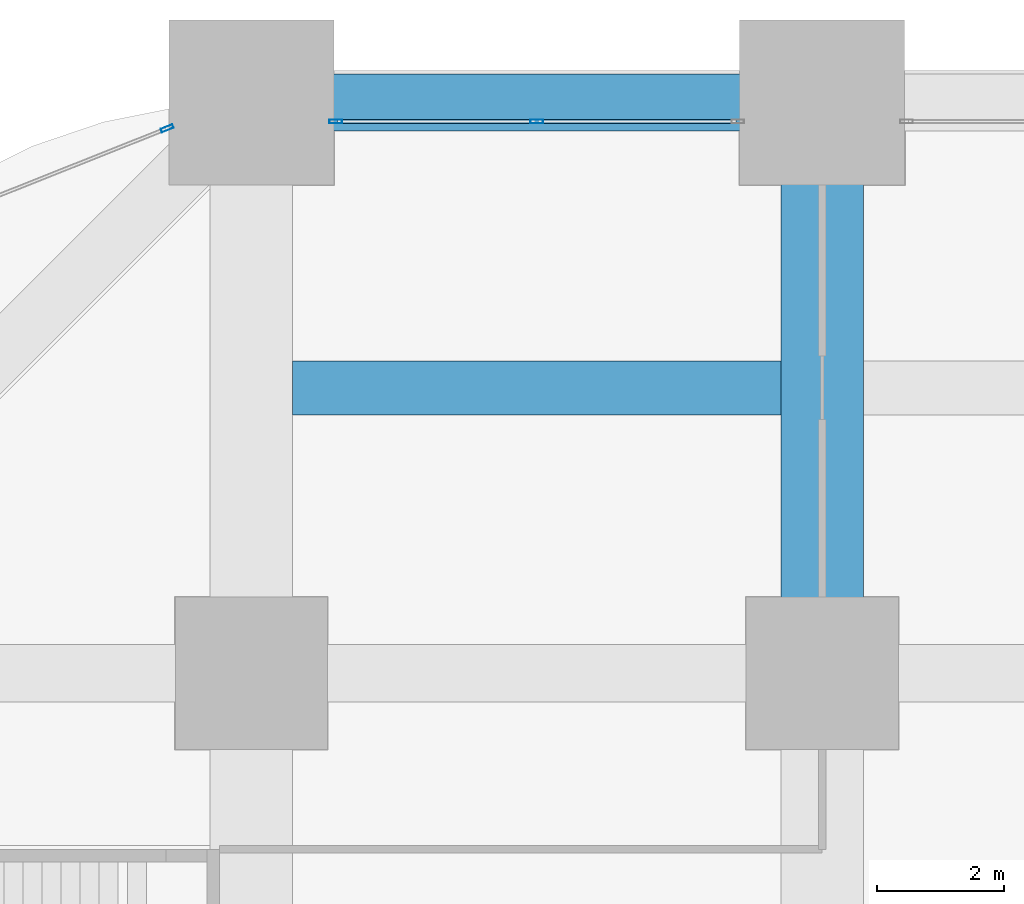
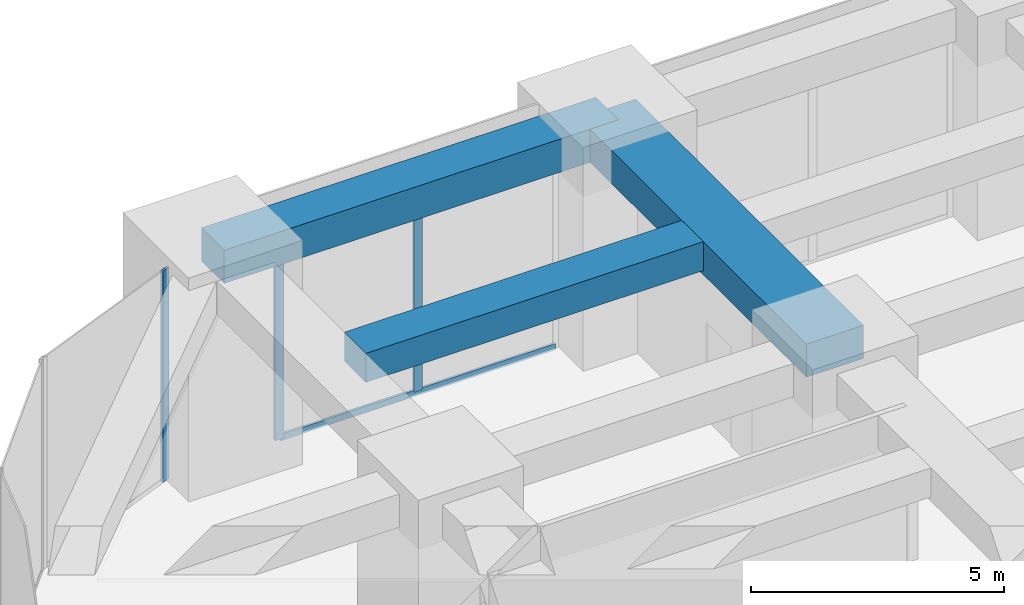
# One storey, part 23 of 45: 4 members, 3 beams, 2 elements without a shape of their own.
"""IFC4 building model written with IfcOpenShell, lengths in metres."""

import ifcopenshell
import ifcopenshell.guid

model = None  # the IFC model being written
_history = None  # IfcOwnerHistory: only IFC2X3 demands one
_inside = {}  # id of a spatial element -> (the spatial element, [elements in it])
_under = {}  # id of a project, library or spatial element -> (it, [spatial elements below it])
_declared = {}  # id of a project -> (the project, [libraries it declares])
_typed = {}  # id of a type object -> (the type object, [elements of that type])
_made_of = {}  # id of a material, layer set ... -> (it, [elements and type objects made of it])


def new_model(schema):
    """Start an empty IFC model of exactly this schema.

    Asked for "IFC4X3", IfcOpenShell would pick the latest addendum, in which some entities
    have other attributes; the version numbers below select the first issue.
    IFC2X3 requires an IfcOwnerHistory on every rooted entity: one is made here for all.
    """
    global model, _history
    if schema == "IFC4X3":
        model = ifcopenshell.file(schema_version=(4, 3, 0, 0))
    else:
        model = ifcopenshell.file(schema=schema)
    _inside.clear()
    _under.clear()
    _declared.clear()
    _typed.clear()
    _made_of.clear()
    _history = None
    if model.schema == "IFC2X3":
        org = make("IfcOrganization", Name="unknown")
        user = make(
            "IfcPersonAndOrganization",
            ThePerson=make("IfcPerson", FamilyName="unknown"),
            TheOrganization=org,
        )
        app = make(
            "IfcApplication",
            ApplicationDeveloper=org,
            Version="unknown",
            ApplicationFullName="unknown",
            ApplicationIdentifier="unknown",
        )
        _history = make(
            "IfcOwnerHistory",
            OwningUser=user,
            OwningApplication=app,
            ChangeAction="ADDED",
            CreationDate=0,
        )
    return model


def make(cls, **values):
    """One entity of the class cls with the attributes given. An attribute that is None is left unset."""
    return model.create_entity(
        cls, **{name: value for name, value in values.items() if value is not None}
    )


def rooted(cls, **values):
    """An entity with a GlobalId (a new one), such as an element, a storey or a relation."""
    return make(cls, GlobalId=ifcopenshell.guid.new(), OwnerHistory=_history, **values)


def si_unit(unit_type, name, prefix=None):
    """IfcSIUnit, for example si_unit("LENGTHUNIT", "METRE", prefix="MILLI")."""
    return make("IfcSIUnit", UnitType=unit_type, Prefix=prefix, Name=name)


def assignment(units):
    """IfcUnitAssignment: the units of a project."""
    return None if units is None else make("IfcUnitAssignment", Units=units)


def point(xyz):
    """IfcCartesianPoint."""
    return None if xyz is None else make("IfcCartesianPoint", Coordinates=xyz)


def direction(xyz):
    """IfcDirection."""
    return None if xyz is None else make("IfcDirection", DirectionRatios=xyz)


def frame(location, z_axis=None, x_axis=None):
    """IfcAxis2Placement3D, a coordinate frame: its origin and axes. An axis left out is left unset."""
    return make(
        "IfcAxis2Placement3D",
        Location=point(location),
        Axis=direction(z_axis),
        RefDirection=direction(x_axis),
    )


def frame_2d(location, x_axis=None):
    """IfcAxis2Placement2D, a coordinate frame in the plane: its origin and x axis."""
    return make(
        "IfcAxis2Placement2D", Location=point(location), RefDirection=direction(x_axis)
    )


def origin():
    """The frame at (0, 0, 0) with its axes left unset."""
    return frame((0.0, 0.0, 0.0))


def origin_2d():
    """The frame at (0, 0) in the plane with its x axis left unset."""
    return frame_2d((0.0, 0.0))


def place(relative_to, where):
    """IfcLocalPlacement: puts the frame where relative to a parent placement (None: the world)."""
    return make(
        "IfcLocalPlacement", PlacementRelTo=relative_to, RelativePlacement=where
    )


def context(
    kind, dimensions, precision=None, world=None, true_north=None, identifier=None
):
    """IfcGeometricRepresentationContext, for example the 3D "Model" context."""
    return make(
        "IfcGeometricRepresentationContext",
        ContextIdentifier=identifier,
        ContextType=kind,
        CoordinateSpaceDimension=dimensions,
        Precision=precision,
        WorldCoordinateSystem=world,
        TrueNorth=true_north,
    )


def subcontext(parent, identifier, kind, view, scale=None):
    """IfcGeometricRepresentationSubContext, for example "Body" below "Model"."""
    return make(
        "IfcGeometricRepresentationSubContext",
        ContextIdentifier=identifier,
        ContextType=kind,
        ParentContext=parent,
        TargetScale=scale,
        TargetView=view,
    )


def project(units=None, contexts=None):
    """IfcProject with its units and contexts."""
    return rooted(
        "IfcProject",
        Name="project",
        RepresentationContexts=contexts,
        UnitsInContext=assignment(units),
    )


def spatial(cls, under=None, at=None, **own):
    """A site, building, storey or space (cls), placed at a placement, below another one or the project."""
    s = rooted(cls, ObjectPlacement=at, **own)
    if under is not None:
        _under.setdefault(under.id(), (under, []))[1].append(s)
    return s


def profile(cls, at=None, kind="AREA", **sizes):
    """A parametric profile (cls). Its sizes go by their IFC names, for example OverallWidth=200.0."""
    return make(cls, ProfileType=kind, Position=at, **sizes)


def rectangle(**sizes):
    """IfcRectangleProfileDef."""
    return profile("IfcRectangleProfileDef", **sizes)


def hollow_rectangle(**sizes):
    """IfcRectangleHollowProfileDef."""
    return profile("IfcRectangleHollowProfileDef", **sizes)


def extrude(swept, where, along, depth):
    """IfcExtrudedAreaSolid: the profile swept, set in the frame where, extruded along a direction by depth."""
    return make(
        "IfcExtrudedAreaSolid",
        SweptArea=swept,
        Position=where,
        ExtrudedDirection=direction(along),
        Depth=depth,
    )


def shape(context_of_items, identifier, shape_type, items):
    """IfcShapeRepresentation: the items that make up one representation, for example the "Body"."""
    return make(
        "IfcShapeRepresentation",
        ContextOfItems=context_of_items,
        RepresentationIdentifier=identifier,
        RepresentationType=shape_type,
        Items=items,
    )


def material(Name=None, Category=None):
    """IfcMaterial."""
    return make("IfcMaterial", Name=Name, Category=Category)


def material_profile(
    of_material, cross_section, Name=None, Category=None, Priority=None
):
    """IfcMaterialProfile: a cross section and its material."""
    return make(
        "IfcMaterialProfile",
        Name=Name,
        Material=of_material,
        Profile=cross_section,
        Priority=Priority,
        Category=Category,
    )


def profile_set(profiles, Name=None, composite=None):
    """IfcMaterialProfileSet."""
    return make(
        "IfcMaterialProfileSet",
        Name=Name,
        MaterialProfiles=profiles,
        CompositeProfile=composite,
    )


def made_of(thing, what):
    """Note that an element or type object is made of a material, layer set ...; save() writes the relation."""
    if what is not None:
        _made_of.setdefault(what.id(), (what, []))[1].append(thing)
    return thing


def type_object(cls, material=None, **own):
    """A type object (cls), such as IfcWallType, which elements share."""
    return made_of(rooted(cls, **own), material)


def element(
    cls,
    number,
    at=None,
    inside=None,
    cuts=None,
    type_object=None,
    material=None,
    context=None,
    identifier="Body",
    shape_type=None,
    held_by="IfcProductDefinitionShape",
    body=None,
    shapes=None,
    **own,
):
    """One element of the class cls, such as IfcWall. Its Tag is "e" and its number.

    at: its placement. inside: the storey or other place that contains it. cuts: it is an
    opening in that element (IfcRelVoidsElement). A single representation is given by context,
    identifier, shape_type and body (its items); several are given by shapes. held_by: the class
    of the entity that holds the representations. save() writes the other relations.
    """
    e = rooted(cls, Tag="e%d" % number, ObjectPlacement=at, **own)
    if body is not None:
        shapes = [shape(context, identifier, shape_type, body)]
    if shapes is not None:
        e.Representation = make(held_by, Representations=shapes)
    if inside is not None:
        _inside.setdefault(inside.id(), (inside, []))[1].append(e)
    if cuts is not None:
        rooted(
            "IfcRelVoidsElement", RelatingBuildingElement=cuts, RelatedOpeningElement=e
        )
    if type_object is not None:
        _typed.setdefault(type_object.id(), (type_object, []))[1].append(e)
    return made_of(e, material)


def aggregate(whole, parts):
    """IfcRelAggregates: a whole, such as a stair, and the parts it consists of."""
    return rooted("IfcRelAggregates", RelatingObject=whole, RelatedObjects=parts)


def save(model, path):
    """Write the relations noted so far, then the file.

    IfcRelAggregates (storeys below a building ...), IfcRelContainedInSpatialStructure (elements
    in a storey), IfcRelDefinesByType, IfcRelAssociatesMaterial and IfcRelDeclares: one each for
    every whole, place, type object, material and project.
    """
    for whole, parts in _under.values():
        aggregate(whole, parts)
    for where, things in _inside.values():
        rooted(
            "IfcRelContainedInSpatialStructure",
            RelatedElements=things,
            RelatingStructure=where,
        )
    for kind, things in _typed.values():
        rooted("IfcRelDefinesByType", RelatedObjects=things, RelatingType=kind)
    for what, things in _made_of.values():
        rooted("IfcRelAssociatesMaterial", RelatedObjects=things, RelatingMaterial=what)
    for by, libraries in _declared.values():
        rooted("IfcRelDeclares", RelatingContext=by, RelatedDefinitions=libraries)
    model.write(path)


model = new_model("IFC4")

# Units and contexts
model_context = context("Model", 3, precision=1e-05, world=origin(), true_north=direction((0.0, 1.0)))
body_context = subcontext(model_context, "Body", "Model", "MODEL_VIEW")
ifc_project = project(units=[si_unit("LENGTHUNIT", "METRE"), si_unit("AREAUNIT", "SQUARE_METRE"), si_unit("VOLUMEUNIT", "CUBIC_METRE"), si_unit("PLANEANGLEUNIT", "RADIAN"), si_unit("MASSUNIT", "GRAM", prefix="KILO")], contexts=[model_context])

# Site, building, storey
site_placement = place(None, origin())
site = spatial("IfcSite", under=ifc_project, at=site_placement, CompositionType="ELEMENT")
building_placement = place(site_placement, origin())
building = spatial("IfcBuilding", under=site, at=building_placement, Name="Zorevar Civic Tower", CompositionType="ELEMENT")
storey_placement = place(building_placement, frame((0.0, 0.0, 5.39990234375)))
storey = spatial("IfcBuildingStorey", under=building, at=storey_placement, Name="L01", CompositionType="ELEMENT", Elevation=5.39990234375)

# Beams
ifc_material_1 = material(Name="Concrete C50/60", Category="concrete")
ifc_material_profile_1 = material_profile(ifc_material_1, rectangle(XDim=1.300048828125, YDim=0.800048828125, at=origin_2d()), Name="RC 1300x800")
ifc_profile_set_1 = profile_set([ifc_material_profile_1], Name="Concrete C50/60")
beam_type_1 = type_object("IfcBeamType", Name="Beam RC 1300x800", PredefinedType="BEAM", material=ifc_profile_set_1)
beam_1_placement = place(storey_placement, frame((9.0, 45.0, 4.7001953125), z_axis=(0.0, 1.0, 0.0), x_axis=(-1.0, 0.0, 0.0)))
element("IfcBeam", 1, at=beam_1_placement, inside=storey, type_object=beam_type_1, Name="Girder L02", PredefinedType="BEAM", context=body_context, shape_type="SweptSolid", body=[
    extrude(rectangle(XDim=1.300048828125, YDim=0.800048828125, at=origin_2d()), origin(), (0.0, 0.0, 1.0), 9.0),
])
ifc_material_2 = material(Name="Concrete C50/60", Category="concrete")
ifc_material_profile_2 = material_profile(ifc_material_2, rectangle(XDim=0.85009765625, YDim=0.699951171875, at=origin_2d()), Name="RC 850x700")
ifc_profile_set_2 = profile_set([ifc_material_profile_2], Name="Concrete C50/60")
beam_type_2 = type_object("IfcBeamType", Name="Beam RC 850x700", PredefinedType="BEAM", material=ifc_profile_set_2)
beam_2_placement = place(storey_placement, frame((0.64990234375, 49.5, 4.75), z_axis=(1.0, 0.0, 0.0), x_axis=(0.0, 1.0, 0.0)))
element("IfcBeam", 2, at=beam_2_placement, inside=storey, type_object=beam_type_2, Name="Secondary beam L02", PredefinedType="BEAM", context=body_context, shape_type="SweptSolid", body=[
    extrude(rectangle(XDim=0.85009765625, YDim=0.699951171875, at=origin_2d()), origin(), (0.0, 0.0, 1.0), 7.7001953125),
])

# Curtain wall, members
ifc_material_3 = material(Name="Dark grey solar-control glass in black aluminium frame", Category="aluminium")
curtain_wall_type = type_object("IfcCurtainWallType", Name="Curtain wall CW1 podium", PredefinedType="NOTDEFINED", material=ifc_material_3)
curtain_wall_1_placement = place(storey_placement, origin())
curtain_wall_1 = element("IfcCurtainWall", 3, at=curtain_wall_1_placement, inside=storey, type_object=curtain_wall_type, Name="CW1 L01", PredefinedType="NOTDEFINED")
ifc_material_4 = material(Name="Aluminium, black anodised", Category="aluminium")
ifc_material_profile_3 = material_profile(ifc_material_4, hollow_rectangle(XDim=0.06005859375, YDim=0.199951171875, WallThickness=0.00390625, at=origin_2d()), Name="AL 200x60x4")
ifc_profile_set_3 = profile_set([ifc_material_profile_3], Name="Aluminium, black anodised")
member_type_1 = type_object("IfcMemberType", Name="CW1 mullion AL 200x60x4", PredefinedType="MULLION", material=ifc_profile_set_3)
member_1_placement = place(storey_placement, frame((1.330078125, 53.699951171875, 0.0), z_axis=(0.0, 0.0, 1.0), x_axis=(0.0, 1.0, 0.0)))
member_1 = element("IfcMember", 4, at=member_1_placement, type_object=member_type_1, Name="CW1 mullion 1", PredefinedType="MULLION", context=body_context, shape_type="SweptSolid", body=[
    extrude(hollow_rectangle(XDim=0.06005859375, YDim=0.199951171875, WallThickness=0.00390625, at=origin_2d()), origin(), (0.0, 0.0, 1.0), 4.300048828125),
])
member_2_placement = place(storey_placement, frame((4.5, 53.699951171875, 0.06005859375), z_axis=(0.0, 0.0, 1.0), x_axis=(0.0, 1.0, 0.0)))
member_2 = element("IfcMember", 5, at=member_2_placement, type_object=member_type_1, Name="CW1 mullion 2", PredefinedType="MULLION", context=body_context, shape_type="SweptSolid", body=[
    extrude(hollow_rectangle(XDim=0.06005859375, YDim=0.199951171875, WallThickness=0.00390625, at=origin_2d()), origin(), (0.0, 0.0, 1.0), 4.239990234375),
])

# Curtain wall, member
curtain_wall_2_placement = place(storey_placement, origin())
curtain_wall_2 = element("IfcCurtainWall", 6, at=curtain_wall_2_placement, inside=storey, type_object=curtain_wall_type, Name="CW1 L01", PredefinedType="NOTDEFINED")
member_3_placement = place(storey_placement, frame((-1.327880859375, 53.591064453125, 0.0), z_axis=(0.0, 0.0, 1.0), x_axis=(0.370110964218, -0.928987553289, 0.0)))
member_3 = element("IfcMember", 7, at=member_3_placement, type_object=member_type_1, Name="CW1 mullion 1", PredefinedType="MULLION", context=body_context, shape_type="SweptSolid", body=[
    extrude(hollow_rectangle(XDim=0.06005859375, YDim=0.199951171875, WallThickness=0.00390625, at=origin_2d()), origin(), (0.0, 0.0, 1.0), 5.10009765625),
])
aggregate(curtain_wall_2, [member_3])

# Member
ifc_material_5 = material(Name="Aluminium, black anodised", Category="aluminium")
ifc_material_profile_4 = material_profile(ifc_material_5, hollow_rectangle(XDim=0.06005859375, YDim=0.14990234375, WallThickness=0.00390625, at=origin_2d()), Name="AL 150x60x4")
ifc_profile_set_4 = profile_set([ifc_material_profile_4], Name="Aluminium, black anodised")
member_type_2 = type_object("IfcMemberType", Name="CW1 transom AL 150x60x4", PredefinedType="USERDEFINED", material=ifc_profile_set_4)
member_4_placement = place(storey_placement, frame((1.360107421875, 53.699951171875, 0.030029296875), z_axis=(1.0, 0.0, 0.0), x_axis=(0.0, 1.0, 0.0)))
member_4 = element("IfcMember", 8, at=member_4_placement, type_object=member_type_2, Name="CW1 sill transom", ObjectType="TRANSOM", PredefinedType="USERDEFINED", context=body_context, shape_type="SweptSolid", body=[
    extrude(hollow_rectangle(XDim=0.06005859375, YDim=0.14990234375, WallThickness=0.00390625, at=origin_2d()), origin(), (0.0, 0.0, 1.0), 6.27978515625),
])

aggregate(curtain_wall_1, [member_1, member_2, member_4])

# Beam
ifc_material_6 = material(Name="Concrete C50/60", Category="concrete")
ifc_material_profile_5 = material_profile(ifc_material_6, rectangle(XDim=0.89990234375, YDim=0.800048828125, at=origin_2d()), Name="RC 900x800")
ifc_profile_set_5 = profile_set([ifc_material_profile_5], Name="Concrete C50/60")
beam_type_3 = type_object("IfcBeamType", Name="Edge beam RC 900x800", PredefinedType="SPANDREL", material=ifc_profile_set_5)
beam_3_placement = place(storey_placement, frame((0.0, 54.0, 4.7001953125), z_axis=(1.0, 0.0, 0.0), x_axis=(0.0, 1.0, 0.0)))
element("IfcBeam", 9, at=beam_3_placement, inside=storey, type_object=beam_type_3, Name="Edge beam L02", PredefinedType="SPANDREL", context=body_context, shape_type="SweptSolid", body=[
    extrude(rectangle(XDim=0.89990234375, YDim=0.800048828125, at=origin_2d()), origin(), (0.0, 0.0, 1.0), 9.0),
])

save(model, "model.ifc")
